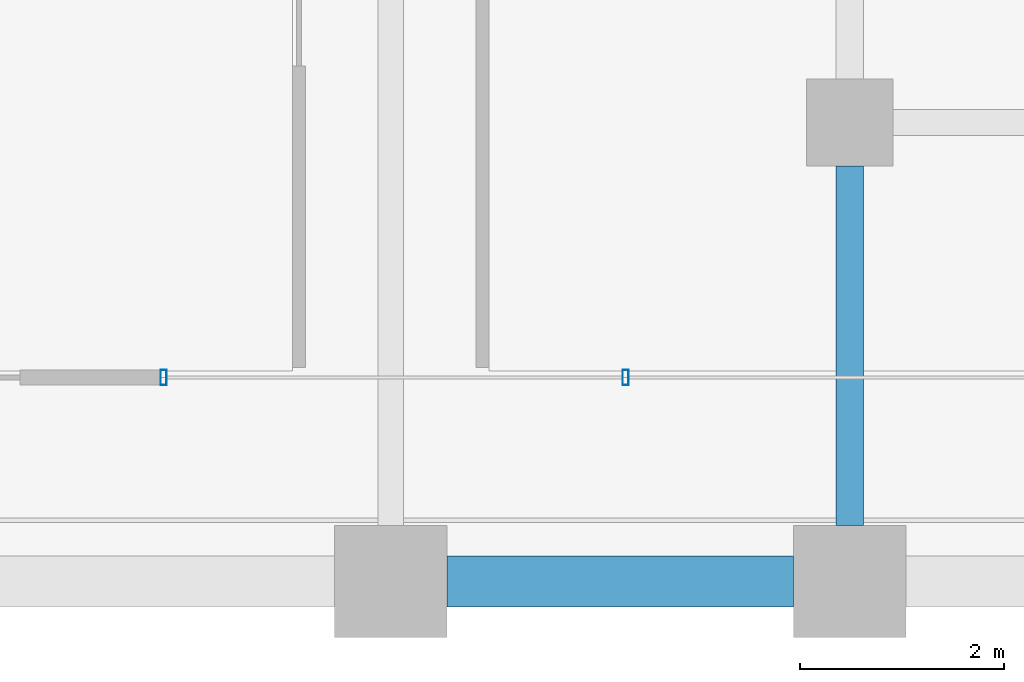
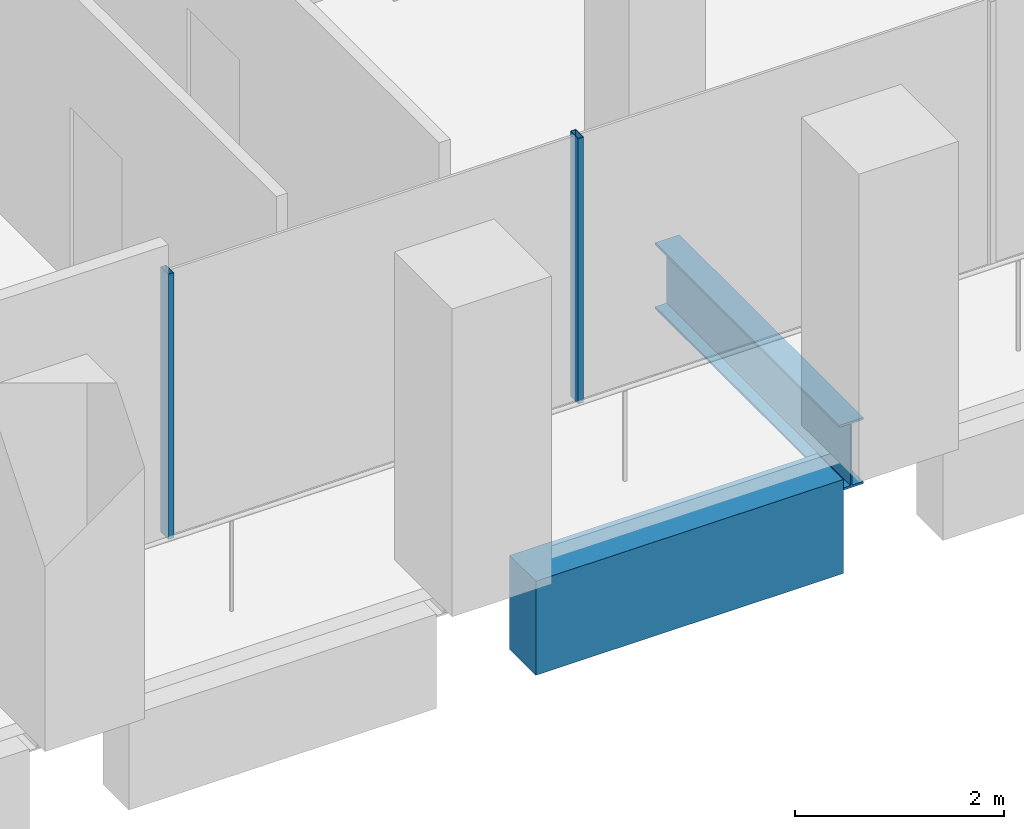
# One storey, part 9 of 56: 2 beams, 2 members, 1 element without a shape of its own.
"""IFC4 building model written with IfcOpenShell, lengths in metres."""

from ifc_helpers import new_model, si_unit, direction, frame, origin, origin_2d, place, context, subcontext, project, spatial, rectangle, hollow_rectangle, i_section, extrude, material, material_profile, profile_set, type_object, element, aggregate, save


model = new_model("IFC4")

# Units and contexts
model_context = context("Model", 3, precision=1e-05, world=origin(), true_north=direction((0.0, 1.0)))
body_context = subcontext(model_context, "Body", "Model", "MODEL_VIEW")
ifc_project = project(units=[si_unit("LENGTHUNIT", "METRE"), si_unit("AREAUNIT", "SQUARE_METRE"), si_unit("VOLUMEUNIT", "CUBIC_METRE"), si_unit("PLANEANGLEUNIT", "RADIAN"), si_unit("MASSUNIT", "GRAM", prefix="KILO")], contexts=[model_context])

# Site, building, storey
site_placement = place(None, origin())
site = spatial("IfcSite", under=ifc_project, at=site_placement, CompositionType="ELEMENT")
building_placement = place(site_placement, origin())
building = spatial("IfcBuilding", under=site, at=building_placement, Name="Altepetl Exchange Towers", CompositionType="ELEMENT")
storey_placement = place(building_placement, frame((0.0, 0.0, 72.60009765625)))
storey = spatial("IfcBuildingStorey", under=building, at=storey_placement, Name="L17", CompositionType="ELEMENT", Elevation=72.60009765625)

# Beam
ifc_material_1 = material(Name="Steel S355", Category="steel")
ifc_material_profile_1 = material_profile(ifc_material_1, i_section(OverallWidth=0.26806640625, OverallDepth=0.77392578125, WebThickness=0.015380859375, FlangeThickness=0.025390625, at=origin_2d()), Name="W30X132")
ifc_profile_set_1 = profile_set([ifc_material_profile_1], Name="Steel S355")
beam_type_1 = type_object("IfcBeamType", Name="Girder W30X132", PredefinedType="BEAM", material=ifc_profile_set_1)
beam_1_placement = place(storey_placement, frame((58.5, 31.074951171875, -0.537109375), z_axis=(0.0, -1.0, 0.0), x_axis=(1.0, 0.0, 0.0)))
element("IfcBeam", 1, at=beam_1_placement, inside=storey, type_object=beam_type_1, Name="gd:A:L17:008", PredefinedType="BEAM", context=body_context, shape_type="SweptSolid", body=[
    extrude(i_section(OverallWidth=0.26806640625, OverallDepth=0.77392578125, WebThickness=0.015380859375, FlangeThickness=0.025390625, at=origin_2d()), origin(), (0.0, 0.0, 1.0), 3.52490234375),
])

# Curtain wall, members
ifc_material_2 = material(Name="Aluminium 6063-T6 glazing", Category="aluminium")
curtain_wall_type = type_object("IfcCurtainWallType", Name="Loggia glazing system", PredefinedType="NOTDEFINED", material=ifc_material_2)
curtain_wall_placement = place(storey_placement, origin())
curtain_wall = element("IfcCurtainWall", 2, at=curtain_wall_placement, inside=storey, type_object=curtain_wall_type, Name="CW1 run", PredefinedType="NOTDEFINED")
ifc_material_3 = material(Name="Aluminium 6063-T6", Category="aluminium")
ifc_material_profile_2 = material_profile(ifc_material_3, hollow_rectangle(XDim=0.06005859375, YDim=0.14990234375, WallThickness=0.0029296875, at=origin_2d()), Name="Mullion 60x150 aluminium")
ifc_profile_set_2 = profile_set([ifc_material_profile_2], Name="Aluminium 6063-T6")
member_type = type_object("IfcMemberType", Name="Mullion 60x150 aluminium", PredefinedType="MULLION", material=ifc_profile_set_2)
member_1_placement = place(storey_placement, frame((51.77294921875, 29.0, 0.0)))
member_1 = element("IfcMember", 3, at=member_1_placement, type_object=member_type, Name="MU1 mullion", PredefinedType="MULLION", context=body_context, shape_type="SweptSolid", body=[
    extrude(hollow_rectangle(XDim=0.06005859375, YDim=0.14990234375, WallThickness=0.0029296875, at=origin_2d()), origin(), (0.0, 0.0, 1.0), 3.099853515625),
])
member_2_placement = place(storey_placement, frame((56.303466796875, 29.0, 0.0)))
member_2 = element("IfcMember", 4, at=member_2_placement, type_object=member_type, Name="MU1 mullion", PredefinedType="MULLION", context=body_context, shape_type="SweptSolid", body=[
    extrude(hollow_rectangle(XDim=0.06005859375, YDim=0.14990234375, WallThickness=0.0029296875, at=origin_2d()), origin(), (0.0, 0.0, 1.0), 3.099853515625),
])
aggregate(curtain_wall, [member_1, member_2])

# Beam
ifc_material_4 = material(Name="Concrete C50/60 precast with cantera blanca facing", Category="concrete")
ifc_material_profile_3 = material_profile(ifc_material_4, rectangle(XDim=0.5, YDim=1.10009765625, at=origin_2d()), Name="500 x 1100")
ifc_profile_set_3 = profile_set([ifc_material_profile_3], Name="Concrete C50/60 precast with cantera blanca facing")
beam_type_2 = type_object("IfcBeamType", Name="Spandrel beam 500x1100 cantera blanca", PredefinedType="SPANDREL", material=ifc_profile_set_3)
beam_2_placement = place(storey_placement, frame((54.550048828125, 27.0, -0.7001953125), z_axis=(1.0, 0.0, 0.0), x_axis=(0.0, 1.0, 0.0)))
element("IfcBeam", 5, at=beam_2_placement, inside=storey, type_object=beam_type_2, Name="sp:A:L17:005", PredefinedType="SPANDREL", context=body_context, shape_type="SweptSolid", body=[
    extrude(rectangle(XDim=0.5, YDim=1.10009765625, at=origin_2d()), origin(), (0.0, 0.0, 1.0), 3.39990234375),
])

save(model, "model.ifc")
